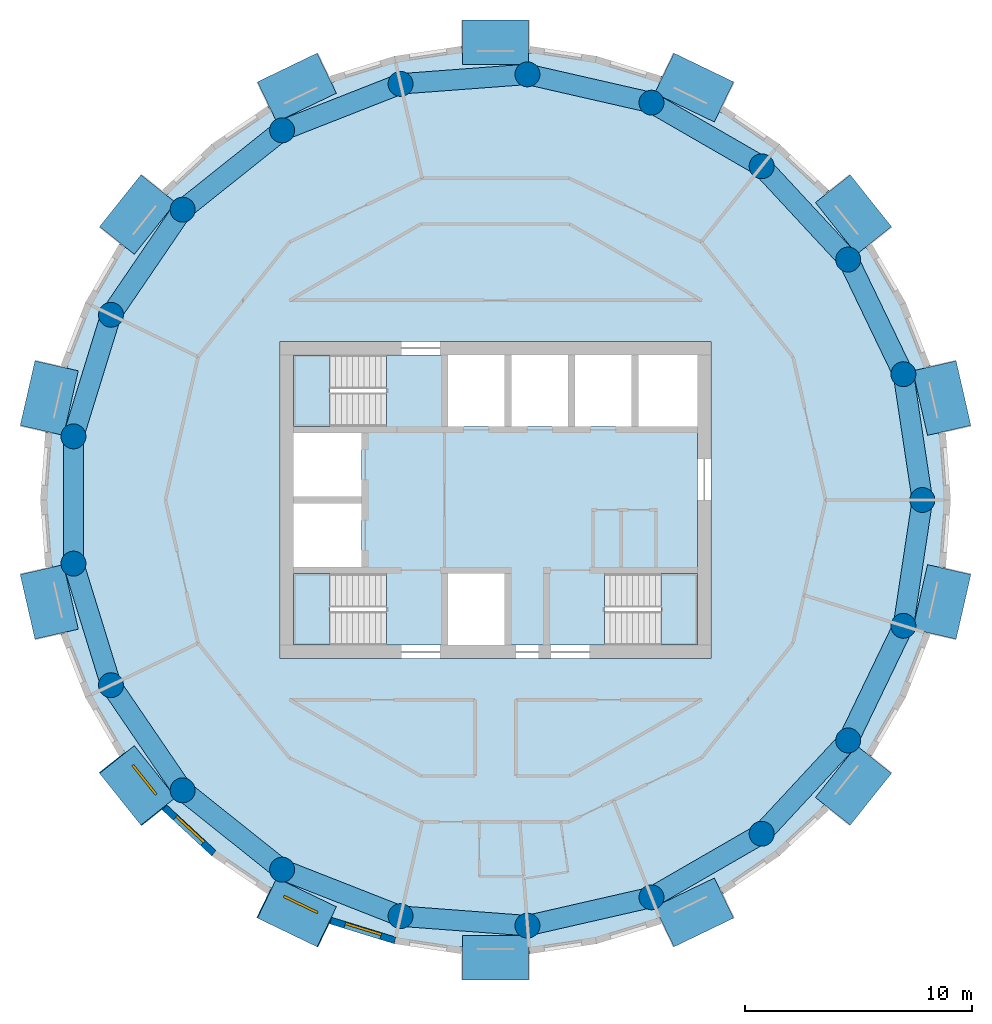
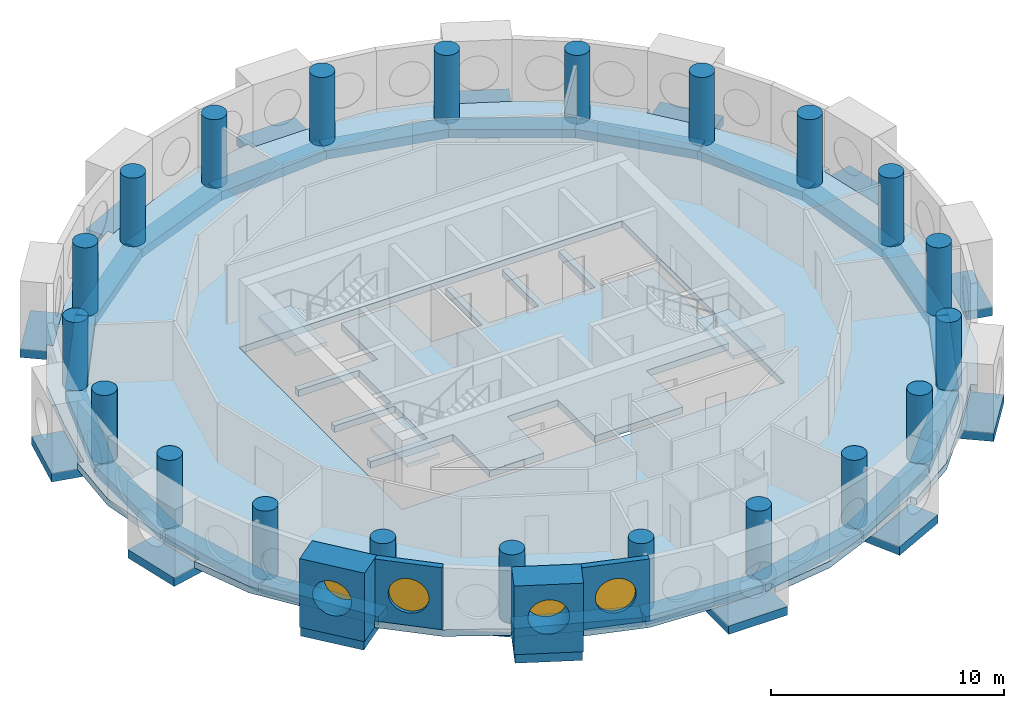
# One storey, part 1 of 13: 35 beams, 21 columns, 5 slabs, 4 walls, 4 windows, 4 openings, 3 elements without a shape of their own.
"""IFC4 building model written with IfcOpenShell, lengths in metres."""

from ifc_helpers import new_model, si_unit, direction, frame, frame_2d, origin, origin_2d, place, context, subcontext, project, spatial, polyline, rectangle, circle, outline, extrude, material, layer, layer_set, material_profile, profile_set, type_object, element, fill, aggregate, save


model = new_model("IFC4")

# Units and contexts
model_context = context("Model", 3, precision=1e-05, world=origin(), true_north=direction((0.0, 1.0)))
body_context = subcontext(model_context, "Body", "Model", "MODEL_VIEW")
ifc_project = project(units=[si_unit("LENGTHUNIT", "METRE"), si_unit("AREAUNIT", "SQUARE_METRE"), si_unit("VOLUMEUNIT", "CUBIC_METRE"), si_unit("PLANEANGLEUNIT", "RADIAN"), si_unit("MASSUNIT", "GRAM", prefix="KILO")], contexts=[model_context])

# Site, building, storey
site_placement = place(None, origin())
site = spatial("IfcSite", under=ifc_project, at=site_placement, CompositionType="ELEMENT")
building_placement = place(site_placement, origin())
building = spatial("IfcBuilding", under=site, at=building_placement, Name="Tracery Tower", CompositionType="ELEMENT")
storey_placement = place(building_placement, frame((0.0, 0.0, 270.60009765625)))
storey = spatial("IfcBuildingStorey", under=building, at=storey_placement, Name="L70", CompositionType="ELEMENT", Elevation=270.60009765625)

# Columns
ifc_material_1 = material(Name="Concrete C40/50", Category="concrete")
ifc_material_profile_1 = material_profile(ifc_material_1, circle(Radius=0.550048828125, at=origin_2d()), Name="RC D1100")
ifc_profile_set_1 = profile_set([ifc_material_profile_1], Name="Concrete C40/50")
column_type = type_object("IfcColumnType", Name="Ring 2 column 1100", PredefinedType="COLUMN", material=ifc_profile_set_1)
for number, where, z_axis, x_axis, name in (
    (1, (18.822265625, 0.0, 0.0), (0.0, 0.0, 1.0), (1.0, 0.0, 0.0), "Ring 2 column 00 at L70"),
    (2, (17.986083984375, 5.5478515625, 0.0), (0.0, 0.0, 1.0), (1.0, 0.0, 0.0), "Ring 2 column 01 at L70"),
    (3, (15.551513671875, 10.602783203125, 0.0), (0.0, 0.0, 1.0), (1.0, 0.0, 0.0), "Ring 2 column 02 at L70"),
    (4, (11.7353515625, 14.7158203125, 0.0), (0.0, 0.0, 1.0), (1.0, 0.0, 0.0), "Ring 2 column 03 at L70"),
    (5, (6.87646484375, 17.52099609375, 0.0), (0.0, 0.0, 1.0), (1.0, 0.0, 0.0), "Ring 2 column 04 at L70"),
    (6, (1.406494140625, 18.76953125, 0.0), (0.0, 0.0, 1.0), (1.0, 0.0, 0.0), "Ring 2 column 05 at L70"),
    (7, (-4.188232421875, 18.350341796875, 0.0), (0.0, 0.0, 1.0), (1.0, 0.0, 0.0), "Ring 2 column 06 at L70"),
    (8, (-9.4111328125, 16.300537109375, 0.0), (0.0, 0.0, 1.0), (1.0, 0.0, 0.0), "Ring 2 column 07 at L70"),
    (9, (-13.797607421875, 12.802490234375, 0.0), (0.0, 0.0, 1.0), (1.0, 0.0, 0.0), "Ring 2 column 08 at L70"),
    (10, (-16.958251953125, 8.16650390625, 0.0), (0.0, 0.0, 1.0), (1.0, 0.0, 0.0), "Ring 2 column 09 at L70"),
    (11, (-18.612060546875, 2.805419921875, 0.0), (0.0, 0.0, 1.0), (1.0, 0.0, 0.0), "Ring 2 column 10 at L70"),
    (12, (-18.612060546875, -2.805419921875, 0.0), (0.0, 0.0, 1.0), (1.0, 0.0, 0.0), "Ring 2 column 11 at L70"),
    (13, (-16.958251953125, -8.166748046875, 0.0), (0.0, 0.0, 1.0), (1.0, 0.0, 0.0), "Ring 2 column 12 at L70"),
    (14, (-13.797607421875, -12.80224609375, 0.0), (0.0, 0.0, 1.0), (1.0, 0.0, 0.0), "Ring 2 column 13 at L70"),
    (15, (-9.4111328125, -16.300537109375, 0.0), (0.0, 0.0, 1.0), (1.0, 0.0, 0.0), "Ring 2 column 14 at L70"),
    (16, (-4.188232421875, -18.350341796875, 0.0), (0.0, 0.0, 1.0), (1.0, 0.0, 0.0), "Ring 2 column 15 at L70"),
    (17, (1.406494140625, -18.76953125, 0.0), (0.0, 0.0, 1.0), (1.0, 0.0, 0.0), "Ring 2 column 16 at L70"),
    (18, (6.87646484375, -17.52099609375, 0.0), (0.0, 0.0, 1.0), (1.0, 0.0, 0.0), "Ring 2 column 17 at L70"),
    (19, (11.7353515625, -14.7158203125, 0.0), (0.0, 0.0, 1.0), (1.0, 0.0, 0.0), "Ring 2 column 18 at L70"),
    (20, (15.551513671875, -10.602783203125, 0.0), (0.0, 0.0, 1.0), (1.0, 0.0, 0.0), "Ring 2 column 19 at L70"),
    (21, (17.986083984375, -5.5478515625, 0.0), (0.0, 0.0, 1.0), (1.0, 0.0, 0.0), "Ring 2 column 20 at L70"),
):
    element("IfcColumn", number, at=place(storey_placement, frame(where, z_axis=z_axis, x_axis=x_axis)), inside=storey, type_object=column_type, Name=name, PredefinedType="COLUMN", context=body_context, shape_type="SweptSolid", body=[
        extrude(circle(Radius=0.550048828125, at=origin_2d()), origin(), (0.0, 0.0, 1.0), 3.599853515625),
    ])

# Beams
ifc_material_2 = material(Name="Concrete C40/50", Category="concrete")
ifc_material_profile_2 = material_profile(ifc_material_2, rectangle(XDim=1.9599609375, YDim=0.449951171875, at=origin_2d()), Name="RC 1960x450")
ifc_profile_set_2 = profile_set([ifc_material_profile_2], Name="Concrete C40/50")
beam_type_1 = type_object("IfcBeamType", Name="Bay seat beam 1960 x 450", PredefinedType="BEAM", material=ifc_profile_set_2)
beam_1_placement = place(storey_placement, frame((20.0048828125, 3.068359375, -0.5751953125), z_axis=(-0.222556919323, 0.974919698058, 0.0), x_axis=(-0.974919698058, -0.222556919323, 0.0)))
element("IfcBeam", 22, at=beam_1_placement, inside=storey, type_object=beam_type_1, Name="Bay seat beam 2 at L70", PredefinedType="BEAM", context=body_context, shape_type="SweptSolid", body=[
    extrude(rectangle(XDim=1.9599609375, YDim=0.449951171875, at=origin_2d()), origin(), (0.0, 0.0, 1.0), 2.920166015625),
])
for number, where, z_axis, x_axis, name in (
    (23, (16.6923828125, 11.4443359375, -0.5751953125), (-0.623480926504, 0.781838560244, 0.0), (-0.781838560244, -0.623480926504, 0.0), "Bay seat beam 5 at L70"),
    (24, (10.07373046875, 17.553466796875, -0.5751953125), (-0.900935084954, 0.433953883147, 0.0), (-0.433953883147, -0.900935084954, 0.0), "Bay seat beam 8 at L70"),
    (25, (1.4599609375, 20.18603515625, -0.5751953125), (-1.0, 0.0, 0.0), (0.0, -1.0, 0.0), "Bay seat beam 11 at L70"),
    (26, (-7.443115234375, 18.820556640625, -0.5751953125), (-0.900935084954, -0.433953883147, 0.0), (0.433953883147, -0.900935084954, 0.0), "Bay seat beam 14 at L70"),
    (27, (-14.871826171875, 13.727294921875, -0.5751953125), (-0.623480926504, -0.781838560244, 0.0), (0.781838560244, -0.623480926504, 0.0), "Bay seat beam 17 at L70"),
):
    element("IfcBeam", number, at=place(storey_placement, frame(where, z_axis=z_axis, x_axis=x_axis)), inside=storey, type_object=beam_type_1, Name=name, PredefinedType="BEAM", context=body_context, shape_type="SweptSolid", body=[
        extrude(rectangle(XDim=1.9599609375, YDim=0.449951171875, at=origin_2d()), origin(), (0.0, 0.0, 1.0), 2.919921875),
    ])
for number, where, z_axis, x_axis, name in (
    (28, (-19.35498046875, 5.915283203125, -0.5751953125), (-0.222556919323, -0.974919698058, 0.0), (0.974919698058, -0.222556919323, 0.0), "Bay seat beam 20 at L70"),
    (29, (-20.0048828125, -3.068359375, -0.5751953125), (0.222556919323, -0.974919698058, 0.0), (0.974919698058, 0.222556919323, 0.0), "Bay seat beam 23 at L70"),
):
    element("IfcBeam", number, at=place(storey_placement, frame(where, z_axis=z_axis, x_axis=x_axis)), inside=storey, type_object=beam_type_1, Name=name, PredefinedType="BEAM", context=body_context, shape_type="SweptSolid", body=[
        extrude(rectangle(XDim=1.9599609375, YDim=0.449951171875, at=origin_2d()), origin(), (0.0, 0.0, 1.0), 2.920166015625),
    ])
for number, where, z_axis, x_axis, name in (
    (30, (-16.6923828125, -11.4443359375, -0.5751953125), (0.623480926504, -0.781838560244, 0.0), (0.781838560244, 0.623480926504, 0.0), "Bay seat beam 26 at L70"),
    (31, (-10.07373046875, -17.553466796875, -0.5751953125), (0.900935084954, -0.433953883147, 0.0), (0.433953883147, 0.900935084954, 0.0), "Bay seat beam 29 at L70"),
    (32, (-1.4599609375, -20.18603515625, -0.5751953125), (1.0, 0.0, 0.0), (0.0, 1.0, 0.0), "Bay seat beam 32 at L70"),
    (33, (7.443115234375, -18.820556640625, -0.5751953125), (0.900935084954, 0.433953883147, 0.0), (-0.433953883147, 0.900935084954, 0.0), "Bay seat beam 35 at L70"),
    (34, (14.871826171875, -13.727294921875, -0.5751953125), (0.623480926504, 0.781838560244, 0.0), (-0.781838560244, 0.623480926504, 0.0), "Bay seat beam 38 at L70"),
):
    element("IfcBeam", number, at=place(storey_placement, frame(where, z_axis=z_axis, x_axis=x_axis)), inside=storey, type_object=beam_type_1, Name=name, PredefinedType="BEAM", context=body_context, shape_type="SweptSolid", body=[
        extrude(rectangle(XDim=1.9599609375, YDim=0.449951171875, at=origin_2d()), origin(), (0.0, 0.0, 1.0), 2.919921875),
    ])
beam_2_placement = place(storey_placement, frame((19.35498046875, -5.915283203125, -0.5751953125), z_axis=(0.222556919323, 0.974919698058, 0.0), x_axis=(-0.974919698058, 0.222556919323, 0.0)))
element("IfcBeam", 35, at=beam_2_placement, inside=storey, type_object=beam_type_1, Name="Bay seat beam 41 at L70", PredefinedType="BEAM", context=body_context, shape_type="SweptSolid", body=[
    extrude(rectangle(XDim=1.9599609375, YDim=0.449951171875, at=origin_2d()), origin(), (0.0, 0.0, 1.0), 2.920166015625),
])
ifc_material_3 = material(Name="Concrete C40/50", Category="concrete")
ifc_material_profile_3 = material_profile(ifc_material_3, rectangle(XDim=0.89990234375, YDim=0.449951171875, at=origin_2d()), Name="RC 900x450")
ifc_profile_set_3 = profile_set([ifc_material_profile_3], Name="Concrete C40/50")
beam_type_2 = type_object("IfcBeamType", Name="Perimeter band beam 900x450", PredefinedType="BEAM", material=ifc_profile_set_3)
for number, where, z_axis, x_axis, name in (
    (36, (18.822265625, 0.0, -0.5751953125), (-0.149038355855, 0.988831415603, 0.0), (-0.988831415603, -0.149038355855, 0.0), "Perimeter beam 2.00 under L70"),
    (37, (17.986083984375, 5.5478515625, -0.5751953125), (-0.433918973155, 0.900951899235, 0.0), (-0.900951899235, -0.433918973155, 0.0), "Perimeter beam 2.01 under L70"),
):
    element("IfcBeam", number, at=place(storey_placement, frame(where, z_axis=z_axis, x_axis=x_axis)), inside=storey, type_object=beam_type_2, Name=name, PredefinedType="BEAM", context=body_context, shape_type="SweptSolid", body=[
        extrude(rectangle(XDim=0.89990234375, YDim=0.449951171875, at=origin_2d()), origin(), (0.0, 0.0, 1.0), 5.610595703125),
    ])
beam_3_placement = place(storey_placement, frame((15.551513671875, 10.602783203125, -0.5751953125), z_axis=(-0.680155630824, 0.733067744386, 0.0), x_axis=(-0.733067744386, -0.680155630824, 0.0)))
element("IfcBeam", 38, at=beam_3_placement, inside=storey, type_object=beam_type_2, Name="Perimeter beam 2.02 under L70", PredefinedType="BEAM", context=body_context, shape_type="SweptSolid", body=[
    extrude(rectangle(XDim=0.89990234375, YDim=0.449951171875, at=origin_2d()), origin(), (0.0, 0.0, 1.0), 5.61083984375),
])
for number, where, z_axis, x_axis, name in (
    (39, (11.7353515625, 14.7158203125, -0.5751953125), (-0.866033412818, 0.49998612769, 0.0), (-0.49998612769, -0.866033412818, 0.0), "Perimeter beam 2.03 under L70"),
    (40, (6.87646484375, 17.52099609375, -0.5751953125), (-0.974925977366, 0.222529410768, 0.0), (-0.222529410768, -0.974925977366, 0.0), "Perimeter beam 2.04 under L70"),
):
    element("IfcBeam", number, at=place(storey_placement, frame(where, z_axis=z_axis, x_axis=x_axis)), inside=storey, type_object=beam_type_2, Name=name, PredefinedType="BEAM", context=body_context, shape_type="SweptSolid", body=[
        extrude(rectangle(XDim=0.89990234375, YDim=0.449951171875, at=origin_2d()), origin(), (0.0, 0.0, 1.0), 5.610595703125),
    ])
beam_4_placement = place(storey_placement, frame((1.406494140625, 18.76953125, -0.5751953125), z_axis=(-0.997204824387, -0.07471638521, 0.0), x_axis=(0.07471638521, -0.997204824387, 0.0)))
element("IfcBeam", 41, at=beam_4_placement, inside=storey, type_object=beam_type_2, Name="Perimeter beam 2.05 under L70", PredefinedType="BEAM", context=body_context, shape_type="SweptSolid", body=[
    extrude(rectangle(XDim=0.89990234375, YDim=0.449951171875, at=origin_2d()), origin(), (0.0, 0.0, 1.0), 5.6103515625),
])
beam_5_placement = place(storey_placement, frame((-4.188232421875, 18.350341796875, -0.5751953125), z_axis=(-0.930875728468, -0.365335979817, 0.0), x_axis=(0.365335979817, -0.930875728468, 0.0)))
element("IfcBeam", 42, at=beam_5_placement, inside=storey, type_object=beam_type_2, Name="Perimeter beam 2.06 under L70", PredefinedType="BEAM", context=body_context, shape_type="SweptSolid", body=[
    extrude(rectangle(XDim=0.89990234375, YDim=0.449951171875, at=origin_2d()), origin(), (0.0, 0.0, 1.0), 5.61083984375),
])
beam_6_placement = place(storey_placement, frame((-9.4111328125, 16.300537109375, -0.5751953125), z_axis=(-0.781835817725, -0.623484365579, 0.0), x_axis=(0.623484365579, -0.781835817725, 0.0)))
element("IfcBeam", 43, at=beam_6_placement, inside=storey, type_object=beam_type_2, Name="Perimeter beam 2.07 under L70", PredefinedType="BEAM", context=body_context, shape_type="SweptSolid", body=[
    extrude(rectangle(XDim=0.89990234375, YDim=0.449951171875, at=origin_2d()), origin(), (0.0, 0.0, 1.0), 5.610595703125),
])
beam_7_placement = place(storey_placement, frame((-13.797607421875, 12.802490234375, -0.5751953125), z_axis=(-0.563305770578, -0.826248515178, 0.0), x_axis=(0.826248515178, -0.563305770578, 0.0)))
element("IfcBeam", 44, at=beam_7_placement, inside=storey, type_object=beam_type_2, Name="Perimeter beam 2.08 under L70", PredefinedType="BEAM", context=body_context, shape_type="SweptSolid", body=[
    extrude(rectangle(XDim=0.89990234375, YDim=0.449951171875, at=origin_2d()), origin(), (0.0, 0.0, 1.0), 5.61083984375),
])
beam_8_placement = place(storey_placement, frame((-16.958251953125, 8.16650390625, -0.5751953125), z_axis=(-0.294776851839, -0.955566118916, 0.0), x_axis=(0.955566118916, -0.294776851839, 0.0)))
element("IfcBeam", 45, at=beam_8_placement, inside=storey, type_object=beam_type_2, Name="Perimeter beam 2.09 under L70", PredefinedType="BEAM", context=body_context, shape_type="SweptSolid", body=[
    extrude(rectangle(XDim=0.89990234375, YDim=0.449951171875, at=origin_2d()), origin(), (0.0, 0.0, 1.0), 5.6103515625),
])
beam_9_placement = place(storey_placement, frame((-18.612060546875, 2.805419921875, -0.5751953125), z_axis=(0.0, -1.0, 0.0), x_axis=(1.0, 0.0, 0.0)))
element("IfcBeam", 46, at=beam_9_placement, inside=storey, type_object=beam_type_2, Name="Perimeter beam 2.10 under L70", PredefinedType="BEAM", context=body_context, shape_type="SweptSolid", body=[
    extrude(rectangle(XDim=0.89990234375, YDim=0.449951171875, at=origin_2d()), origin(), (0.0, 0.0, 1.0), 5.61083984375),
])
for number, where, z_axis, x_axis, name in (
    (47, (-18.612060546875, -2.805419921875, -0.5751953125), (0.294764594813, -0.955569899926, 0.0), (0.955569899926, 0.294764594813, 0.0), "Perimeter beam 2.11 under L70"),
    (48, (-16.958251953125, -8.166748046875, -0.5751953125), (0.5633462764, -0.826220898348, 0.0), (0.826220898348, 0.5633462764, 0.0), "Perimeter beam 2.12 under L70"),
    (49, (-13.797607421875, -12.80224609375, -0.5751953125), (0.781814605872, -0.623510963853, 0.0), (0.623510963853, 0.781814605872, 0.0), "Perimeter beam 2.13 under L70"),
):
    element("IfcBeam", number, at=place(storey_placement, frame(where, z_axis=z_axis, x_axis=x_axis)), inside=storey, type_object=beam_type_2, Name=name, PredefinedType="BEAM", context=body_context, shape_type="SweptSolid", body=[
        extrude(rectangle(XDim=0.89990234375, YDim=0.449951171875, at=origin_2d()), origin(), (0.0, 0.0, 1.0), 5.610595703125),
    ])
beam_10_placement = place(storey_placement, frame((-9.4111328125, -16.300537109375, -0.5751953125), z_axis=(0.930875728468, -0.365335979817, 0.0), x_axis=(0.365335979817, 0.930875728468, 0.0)))
element("IfcBeam", 50, at=beam_10_placement, inside=storey, type_object=beam_type_2, Name="Perimeter beam 2.14 under L70", PredefinedType="BEAM", context=body_context, shape_type="SweptSolid", body=[
    extrude(rectangle(XDim=0.89990234375, YDim=0.449951171875, at=origin_2d()), origin(), (0.0, 0.0, 1.0), 5.61083984375),
])
beam_11_placement = place(storey_placement, frame((-4.188232421875, -18.350341796875, -0.5751953125), z_axis=(0.997204824387, -0.07471638521, 0.0), x_axis=(0.07471638521, 0.997204824387, 0.0)))
element("IfcBeam", 51, at=beam_11_placement, inside=storey, type_object=beam_type_2, Name="Perimeter beam 2.15 under L70", PredefinedType="BEAM", context=body_context, shape_type="SweptSolid", body=[
    extrude(rectangle(XDim=0.89990234375, YDim=0.449951171875, at=origin_2d()), origin(), (0.0, 0.0, 1.0), 5.6103515625),
])
for number, where, z_axis, x_axis, name in (
    (52, (1.406494140625, -18.76953125, -0.5751953125), (0.974925977366, 0.222529410768, 0.0), (-0.222529410768, 0.974925977366, 0.0), "Perimeter beam 2.16 under L70"),
    (53, (6.87646484375, -17.52099609375, -0.5751953125), (0.866033412818, 0.49998612769, 0.0), (-0.49998612769, 0.866033412818, 0.0), "Perimeter beam 2.17 under L70"),
):
    element("IfcBeam", number, at=place(storey_placement, frame(where, z_axis=z_axis, x_axis=x_axis)), inside=storey, type_object=beam_type_2, Name=name, PredefinedType="BEAM", context=body_context, shape_type="SweptSolid", body=[
        extrude(rectangle(XDim=0.89990234375, YDim=0.449951171875, at=origin_2d()), origin(), (0.0, 0.0, 1.0), 5.610595703125),
    ])
beam_12_placement = place(storey_placement, frame((11.7353515625, -14.7158203125, -0.5751953125), z_axis=(0.680155630824, 0.733067744386, 0.0), x_axis=(-0.733067744386, 0.680155630824, 0.0)))
element("IfcBeam", 54, at=beam_12_placement, inside=storey, type_object=beam_type_2, Name="Perimeter beam 2.18 under L70", PredefinedType="BEAM", context=body_context, shape_type="SweptSolid", body=[
    extrude(rectangle(XDim=0.89990234375, YDim=0.449951171875, at=origin_2d()), origin(), (0.0, 0.0, 1.0), 5.61083984375),
])
for number, where, z_axis, x_axis, name in (
    (55, (15.551513671875, -10.602783203125, -0.5751953125), (0.433918973155, 0.900951899235, 0.0), (-0.900951899235, 0.433918973155, 0.0), "Perimeter beam 2.19 under L70"),
    (56, (17.986083984375, -5.5478515625, -0.5751953125), (0.149038355855, 0.988831415603, 0.0), (-0.988831415603, 0.149038355855, 0.0), "Perimeter beam 2.20 under L70"),
):
    element("IfcBeam", number, at=place(storey_placement, frame(where, z_axis=z_axis, x_axis=x_axis)), inside=storey, type_object=beam_type_2, Name=name, PredefinedType="BEAM", context=body_context, shape_type="SweptSolid", body=[
        extrude(rectangle(XDim=0.89990234375, YDim=0.449951171875, at=origin_2d()), origin(), (0.0, 0.0, 1.0), 5.610595703125),
    ])

# Slabs
ifc_material_4 = material(Name="Concrete C40/50", Category="concrete")
ifc_layer_1 = layer(ifc_material_4, 0.35009765625)
ifc_layer_set_1 = layer_set([ifc_layer_1], Name="Core floor slab 350 C40")
slab_type_1 = type_object("IfcSlabType", Name="Core floor slab 350 C40", PredefinedType="FLOOR", material=ifc_layer_set_1)
slab_1_placement = place(storey_placement, frame((0.0, 0.0, -0.35009765625)))
element("IfcSlab", 57, at=slab_1_placement, inside=storey, type_object=slab_type_1, Name="L70 core floor 1", PredefinedType="FLOOR", context=body_context, shape_type="SweptSolid", body=[
    extrude(outline(polyline([(-4.800537109375, -3.25), (-8.89990234375, -3.25), (-8.89990234375, -2.949951171875), (-5.89990234375, -2.949951171875), (-5.89990234375, -0.14990234375), (-8.89990234375, -0.14990234375), (-8.89990234375, 0.14990234375), (-5.89990234375, 0.14990234375), (-5.89990234375, 2.949951171875), (-8.89990234375, 2.949951171875), (-8.89990234375, 3.25), (-4.800537109375, 3.25), (-4.800537109375, 6.39990234375), (-2.10009765625, 6.39990234375), (-2.10009765625, 3.25), (0.39990234375, 3.25), (0.39990234375, 6.39990234375), (0.699951171875, 6.39990234375), (0.699951171875, 3.25), (3.199951171875, 3.25), (3.199951171875, 6.39990234375), (3.5, 6.39990234375), (3.5, 3.25), (6.0, 3.25), (6.0, 6.39990234375), (6.300048828125, 6.39990234375), (6.300048828125, 3.25), (8.89990234375, 3.25), (8.89990234375, -3.25), (4.800537109375, -3.25), (4.800537109375, -6.39990234375), (0.39990234375, -6.39990234375), (0.39990234375, -3.25), (-2.10009765625, -3.25), (-2.10009765625, -6.39990234375), (-4.800537109375, -6.39990234375), (-4.800537109375, -3.25)])), origin(), (0.0, 0.0, 1.0), 0.35009765625),
])
ifc_material_5 = material(Name="Concrete C40/50", Category="concrete")
ifc_layer_2 = layer(ifc_material_5, 0.35009765625)
ifc_layer_set_2 = layer_set([ifc_layer_2], Name="Floor slab 350")
slab_type_2 = type_object("IfcSlabType", Name="Floor slab 350", PredefinedType="FLOOR", material=ifc_layer_set_2)
slab_2_placement = place(storey_placement, frame((0.0, 0.0, -0.35009765625)))
element("IfcSlab", 58, at=slab_2_placement, inside=storey, type_object=slab_type_2, Name="Floor slab L70", PredefinedType="FLOOR", context=body_context, shape_type="SweptSolid", body=[
    extrude(outline(polyline([(19.243408203125, 4.291748046875), (18.887939453125, 5.849609375), (19.18017578125, 5.916259765625), (19.180419921875, 5.91650390625), (18.08447265625, 8.708984375), (16.336181640625, 11.13720703125), (15.6845703125, 11.954345703125), (14.493408203125, 13.447998046875), (14.493408203125, 13.447998046875), (14.4794921875, 13.465576171875), (14.7138671875, 13.652587890625), (14.714111328125, 13.652587890625), (12.514892578125, 15.693115234375), (9.885986328125, 17.122314453125), (9.227294921875, 17.439697265625), (7.223388671875, 18.404541015625), (7.223388671875, 18.404541015625), (7.202880859375, 18.414306640625), (7.333251953125, 18.6845703125), (7.333251953125, 18.684814453125), (4.466552734375, 19.56884765625), (1.47802734375, 19.716064453125), (-1.5, 19.716064453125), (-1.5, 20.01611328125), (-1.5, 20.01611328125), (-4.466552734375, 19.56884765625), (-7.223388671875, 18.404541015625), (-9.227294921875, 17.439697265625), (-9.906005859375, 17.11279296875), (-10.035888671875, 17.3828125), (-10.0361328125, 17.383056640625), (-12.514892578125, 15.693115234375), (-14.493408203125, 13.447998046875), (-15.6845703125, 11.954345703125), (-16.349853515625, 11.1201171875), (-16.58447265625, 11.30712890625), (-18.08447265625, 8.708984375), (-18.892822265625, 5.828125), (-19.243408203125, 4.291748046875), (-19.550537109375, 2.94677734375), (-19.550537109375, 2.94677734375), (-19.555419921875, 2.9248046875), (-19.847900390625, 2.99169921875), (-19.847900390625, 2.99169921875), (-20.072265625, 0.0), (-19.550537109375, -2.94677734375), (-19.243408203125, -4.291748046875), (-18.887939453125, -5.849609375), (-19.18017578125, -5.916259765625), (-19.180419921875, -5.91650390625), (-18.08447265625, -8.708984375), (-16.336181640625, -11.13720703125), (-15.6845703125, -11.954345703125), (-14.493408203125, -13.447998046875), (-14.493408203125, -13.447998046875), (-14.4794921875, -13.465576171875), (-14.7138671875, -13.652587890625), (-14.714111328125, -13.652587890625), (-12.514892578125, -15.693115234375), (-9.885986328125, -17.122314453125), (-9.227294921875, -17.439697265625), (-7.223388671875, -18.404541015625), (-7.223388671875, -18.404541015625), (-7.202880859375, -18.414306640625), (-7.333251953125, -18.6845703125), (-7.333251953125, -18.684814453125), (-4.466552734375, -19.56884765625), (-1.47802734375, -19.716064453125), (1.5, -19.716064453125), (1.5, -20.01611328125), (1.5, -20.01611328125), (4.466552734375, -19.56884765625), (7.223388671875, -18.404541015625), (9.227294921875, -17.439697265625), (9.906005859375, -17.11279296875), (10.035888671875, -17.3828125), (10.0361328125, -17.383056640625), (12.514892578125, -15.693115234375), (14.493408203125, -13.447998046875), (15.6845703125, -11.954345703125), (16.349853515625, -11.1201171875), (16.58447265625, -11.30712890625), (18.08447265625, -8.708984375), (18.892822265625, -5.828125), (19.243408203125, -4.291748046875), (19.550537109375, -2.94677734375), (19.550537109375, -2.94677734375), (19.555419921875, -2.9248046875), (19.847900390625, -2.99169921875), (19.847900390625, -2.99169921875), (20.072265625, 0.0), (19.550537109375, 2.94677734375), (19.243408203125, 4.291748046875)]), holes=[polyline([(-9.5, -7.0), (9.5, -7.0), (9.5, 7.0), (-9.5, 7.0), (-9.5, -7.0)])]), origin(), (0.0, 0.0, 1.0), 0.35009765625),
])

# Stair, slab
ifc_material_6 = material(Name="Concrete C32/40", Category="concrete")
stair_type = type_object("IfcStairType", Name="Core stair 22 risers", PredefinedType="HALF_TURN_STAIR", material=ifc_material_6)
stair_1_placement = place(storey_placement, origin())
stair_1 = element("IfcStair", 59, at=stair_1_placement, inside=storey, type_object=stair_type, Name="L70 stair ST1", PredefinedType="HALF_TURN_STAIR")
ifc_material_7 = material(Name="Concrete C32/40", Category="concrete")
ifc_layer_3 = layer(ifc_material_7, 0.199951171875)
ifc_layer_set_3 = layer_set([ifc_layer_3], Name="Stair landing slab 200")
slab_type_3 = type_object("IfcSlabType", Name="Stair landing slab 200", PredefinedType="LANDING", material=ifc_layer_set_3)
slab_3_placement = place(storey_placement, frame((0.0, 0.0, 1.599853515625)))
slab_3 = element("IfcSlab", 60, at=slab_3_placement, type_object=slab_type_3, Name="ST1 landing 1", PredefinedType="LANDING", context=body_context, shape_type="SweptSolid", body=[
    extrude(outline(polyline([(-7.29931640625, -3.25), (-8.89990234375, -3.25), (-8.89990234375, -6.39990234375), (-7.29931640625, -6.39990234375), (-7.29931640625, -3.25)])), origin(), (0.0, 0.0, 1.0), 0.199951171875),
])
aggregate(stair_1, [slab_3])

stair_2_placement = place(storey_placement, origin())
stair_2 = element("IfcStair", 61, at=stair_2_placement, inside=storey, type_object=stair_type, Name="L70 stair ST3", PredefinedType="HALF_TURN_STAIR")
slab_4_placement = place(storey_placement, frame((0.0, 0.0, 1.599853515625)))
slab_4 = element("IfcSlab", 62, at=slab_4_placement, type_object=slab_type_3, Name="ST3 landing 1", PredefinedType="LANDING", context=body_context, shape_type="SweptSolid", body=[
    extrude(outline(polyline([(-7.29931640625, 6.39990234375), (-8.89990234375, 6.39990234375), (-8.89990234375, 3.25), (-7.29931640625, 3.25), (-7.29931640625, 6.39990234375)])), origin(), (0.0, 0.0, 1.0), 0.199951171875),
])
aggregate(stair_2, [slab_4])

stair_3_placement = place(storey_placement, origin())
stair_3 = element("IfcStair", 63, at=stair_3_placement, inside=storey, type_object=stair_type, Name="L70 stair ST2", PredefinedType="HALF_TURN_STAIR")
slab_5_placement = place(storey_placement, frame((0.0, 0.0, 1.599853515625)))
slab_5 = element("IfcSlab", 64, at=slab_5_placement, type_object=slab_type_3, Name="ST2 landing 1", PredefinedType="LANDING", context=body_context, shape_type="SweptSolid", body=[
    extrude(outline(polyline([(7.29931640625, -6.39990234375), (8.89990234375, -6.39990234375), (8.89990234375, -3.25), (7.29931640625, -3.25), (7.29931640625, -6.39990234375)])), origin(), (0.0, 0.0, 1.0), 0.199951171875),
])
aggregate(stair_3, [slab_5])

# Wall, opening, window
ifc_material_8 = material(Name="Precast concrete C50/60", Category="concrete")
ifc_layer_4 = layer(ifc_material_8, 1.449951171875)
ifc_layer_set_4 = layer_set([ifc_layer_4], Name="Deep-set bay unit 3000 x 3600, slab edge 350")
wall_type_1 = type_object("IfcWallType", Name="Deep-set bay unit 3000 x 3600, slab edge 350", PredefinedType="ELEMENTEDWALL", material=ifc_layer_set_4)
wall_1_placement = place(storey_placement, frame((-16.916748046875, -11.572021484375, -0.35009765625), z_axis=(0.0, 0.0, 1.0), x_axis=(0.623523286312, -0.781804778335, 0.0)))
wall_1 = element("IfcWall", 65, at=wall_1_placement, inside=storey, type_object=wall_type_1, Name="Deep-set bay unit 26 at L70", PredefinedType="ELEMENTEDWALL", context=body_context, shape_type="SweptSolid", body=[
    extrude(rectangle(XDim=3.0, YDim=1.449951171875, at=frame_2d((1.5, 0.0))), origin(), (0.0, 0.0, 1.0), 3.60009765625),
])
opening_1_placement = place(wall_1_placement, frame((1.5, 0.0, 1.89990234375)))
opening_1 = element("IfcOpeningElement", 66, at=opening_1_placement, cuts=wall_1, Name="Opening WN1", PredefinedType="OPENING", context=body_context, shape_type="SweptSolid", body=[
    extrude(circle(Radius=0.9000244140625, at=origin_2d()), frame((0.0, 0.73486328125, 0.0), z_axis=(0.0, -1.0, 0.0), x_axis=(1.0, 0.0, 0.0)), (0.0, 0.0, 1.0), 1.469970703125),
])
ifc_material_9 = material(Name="Aluminium frame with tinted double glazing", Category="aluminium")
window_type = type_object("IfcWindowType", Name="Round window 1800", PartitioningType="SINGLE_PANEL", PredefinedType="WINDOW", material=ifc_material_9)
window_1_placement = place(opening_1_placement, origin())
window_1 = element("IfcWindow", 67, at=window_1_placement, inside=storey, type_object=window_type, Name="Round window 26 at L70", OverallHeight=1.800048828125, OverallWidth=1.800048828125, PartitioningType="SINGLE_PANEL", PredefinedType="WINDOW", context=body_context, shape_type="SweptSolid", body=[
    extrude(circle(Radius=0.9000244140625, at=origin_2d()), frame((0.0, 0.69482421875, 0.0), z_axis=(0.0, -1.0, 0.0), x_axis=(1.0, 0.0, 0.0)), (0.0, 0.0, 1.0), 0.10009765625),
])
fill(opening_1, window_1)

wall_2_placement = place(storey_placement, frame((-10.220458984375, -17.765869140625, -0.35009765625), z_axis=(0.0, 0.0, 1.0), x_axis=(0.900953362039, -0.433915935904, 0.0)))
wall_2 = element("IfcWall", 68, at=wall_2_placement, inside=storey, type_object=wall_type_1, Name="Deep-set bay unit 29 at L70", PredefinedType="ELEMENTEDWALL", context=body_context, shape_type="SweptSolid", body=[
    extrude(rectangle(XDim=3.0, YDim=1.449951171875, at=frame_2d((1.5, 0.0))), origin(), (0.0, 0.0, 1.0), 3.60009765625),
])
opening_2_placement = place(wall_2_placement, frame((1.5, 0.0, 1.89990234375)))
opening_2 = element("IfcOpeningElement", 69, at=opening_2_placement, cuts=wall_2, Name="Opening WN1", PredefinedType="OPENING", context=body_context, shape_type="SweptSolid", body=[
    extrude(circle(Radius=0.9000244140625, at=origin_2d()), frame((0.0, 0.73486328125, 0.0), z_axis=(0.0, -1.0, 0.0), x_axis=(1.0, 0.0, 0.0)), (0.0, 0.0, 1.0), 1.469970703125),
])
window_2_placement = place(opening_2_placement, origin())
window_2 = element("IfcWindow", 70, at=window_2_placement, inside=storey, type_object=window_type, Name="Round window 29 at L70", OverallHeight=1.800048828125, OverallWidth=1.800048828125, PartitioningType="SINGLE_PANEL", PredefinedType="WINDOW", context=body_context, shape_type="SweptSolid", body=[
    extrude(circle(Radius=0.9000244140625, at=origin_2d()), frame((0.0, 0.69482421875, 0.0), z_axis=(0.0, -1.0, 0.0), x_axis=(1.0, 0.0, 0.0)), (0.0, 0.0, 1.0), 0.10009765625),
])
fill(opening_2, window_2)

ifc_material_10 = material(Name="Precast concrete C50/60", Category="concrete")
ifc_layer_5 = layer(ifc_material_10, 0.300048828125)
ifc_layer_set_5 = layer_set([ifc_layer_5], Name="Facade panel 3000 x 3250")
wall_type_2 = type_object("IfcWallType", Name="Facade panel 3000 x 3250", PredefinedType="SOLIDWALL", material=ifc_layer_set_5)
wall_3_placement = place(storey_placement, frame((-14.592529296875, -13.560546875, 0.0), z_axis=(0.0, 0.0, 1.0), x_axis=(0.733028283666, -0.680198158882, 0.0)))
wall_3 = element("IfcWall", 71, at=wall_3_placement, inside=storey, type_object=wall_type_2, Name="Facade panel 27 at L70", PredefinedType="SOLIDWALL", context=body_context, shape_type="SweptSolid", body=[
    extrude(rectangle(XDim=2.962158203125, YDim=0.300048828125, at=frame_2d((1.48095703125, 0.0))), origin(), (0.0, 0.0, 1.0), 3.25),
])
opening_3_placement = place(wall_3_placement, frame((1.48095703125, 0.0, 1.5498046875)))
opening_3 = element("IfcOpeningElement", 72, at=opening_3_placement, cuts=wall_3, Name="Opening WN1", PredefinedType="OPENING", context=body_context, shape_type="SweptSolid", body=[
    extrude(circle(Radius=0.9000244140625, at=origin_2d()), frame((0.0, 0.159912109375, 0.0), z_axis=(0.0, -1.0, 0.0), x_axis=(1.0, 0.0, 0.0)), (0.0, 0.0, 1.0), 0.320068359375),
])
window_3_placement = place(opening_3_placement, origin())
window_3 = element("IfcWindow", 73, at=window_3_placement, inside=storey, type_object=window_type, Name="Round window 27 at L70", OverallHeight=1.800048828125, OverallWidth=1.800048828125, PartitioningType="SINGLE_PANEL", PredefinedType="WINDOW", context=body_context, shape_type="SweptSolid", body=[
    extrude(circle(Radius=0.9000244140625, at=origin_2d()), frame((0.0, 0.1201171875, 0.0), z_axis=(0.0, -1.0, 0.0), x_axis=(1.0, 0.0, 0.0)), (0.0, 0.0, 1.0), 0.10009765625),
])
fill(opening_3, window_3)

wall_4_placement = place(storey_placement, frame((-7.263671875, -18.549072265625, 0.0), z_axis=(0.0, 0.0, 1.0), x_axis=(0.955555982805, -0.29480970765, 0.0)))
wall_4 = element("IfcWall", 74, at=wall_4_placement, inside=storey, type_object=wall_type_2, Name="Facade panel 30 at L70", PredefinedType="SOLIDWALL", context=body_context, shape_type="SweptSolid", body=[
    extrude(rectangle(XDim=2.962158203125, YDim=0.300048828125, at=frame_2d((1.48095703125, 0.0))), origin(), (0.0, 0.0, 1.0), 3.25),
])
opening_4_placement = place(wall_4_placement, frame((1.48095703125, 0.0, 1.5498046875)))
opening_4 = element("IfcOpeningElement", 75, at=opening_4_placement, cuts=wall_4, Name="Opening WN1", PredefinedType="OPENING", context=body_context, shape_type="SweptSolid", body=[
    extrude(circle(Radius=0.9000244140625, at=origin_2d()), frame((0.0, 0.159912109375, 0.0), z_axis=(0.0, -1.0, 0.0), x_axis=(1.0, 0.0, 0.0)), (0.0, 0.0, 1.0), 0.320068359375),
])
window_4_placement = place(opening_4_placement, origin())
window_4 = element("IfcWindow", 76, at=window_4_placement, inside=storey, type_object=window_type, Name="Round window 30 at L70", OverallHeight=1.800048828125, OverallWidth=1.800048828125, PartitioningType="SINGLE_PANEL", PredefinedType="WINDOW", context=body_context, shape_type="SweptSolid", body=[
    extrude(circle(Radius=0.9000244140625, at=origin_2d()), frame((0.0, 0.1201171875, 0.0), z_axis=(0.0, -1.0, 0.0), x_axis=(1.0, 0.0, 0.0)), (0.0, 0.0, 1.0), 0.10009765625),
])
fill(opening_4, window_4)

save(model, "model.ifc")
